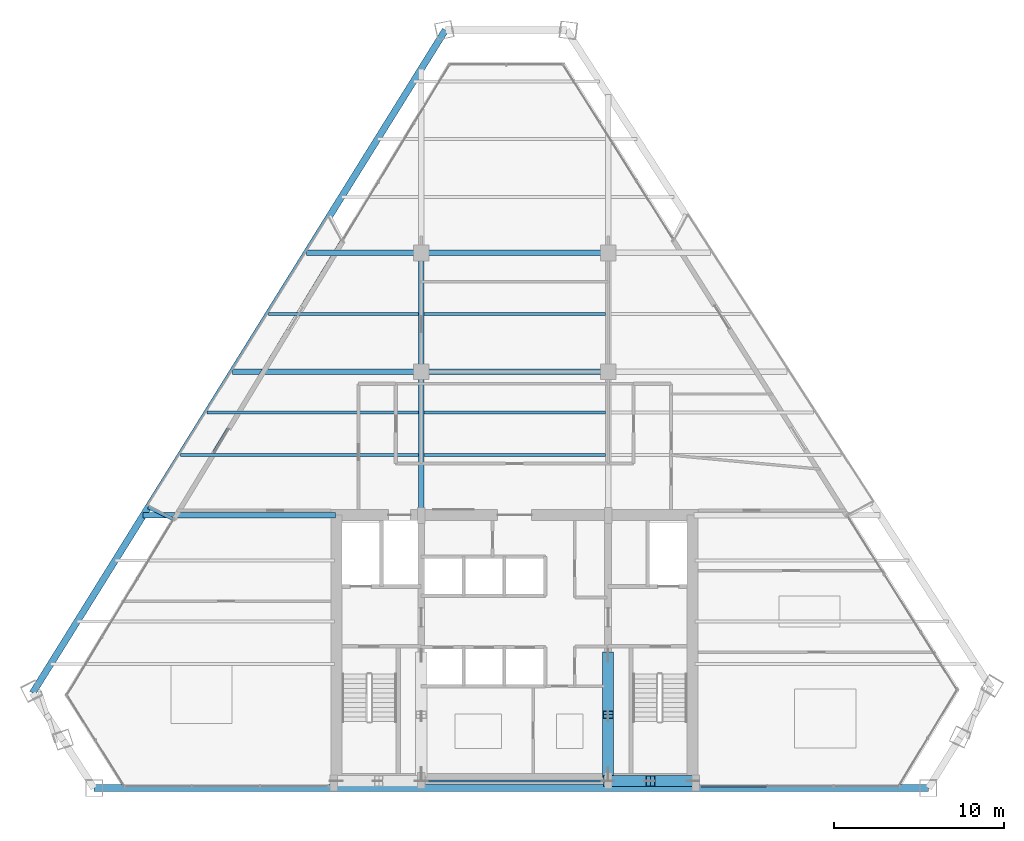
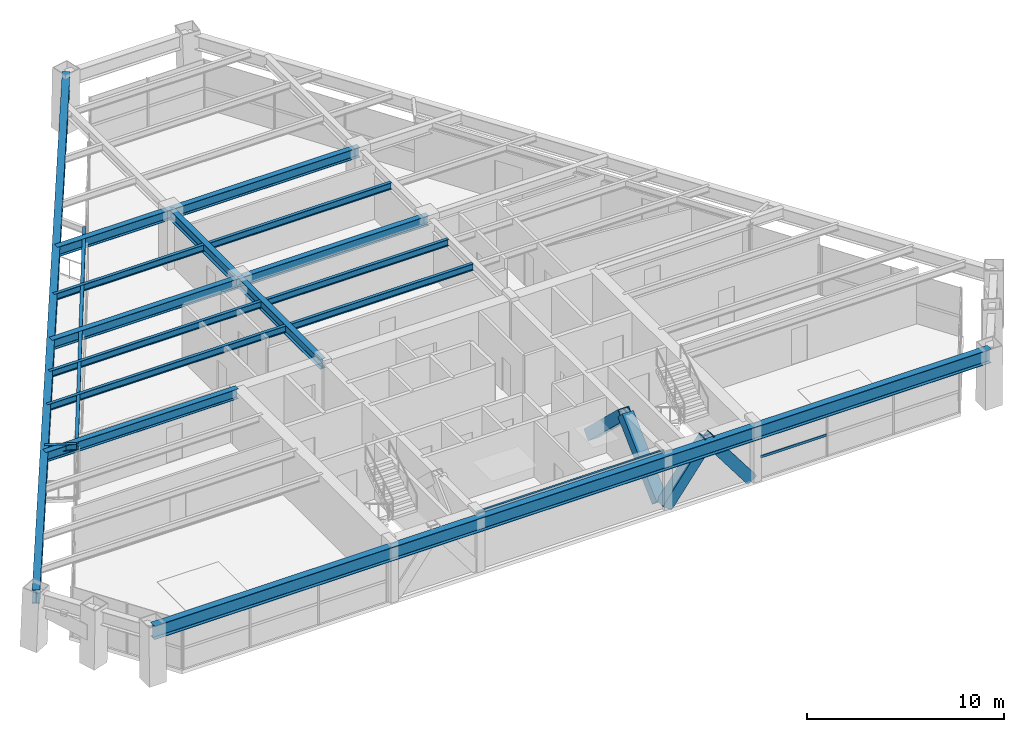
# One storey, part 3 of 12: 18 beams, 5 members, 1 element without a shape of its own.
"""IFC4 building model written with IfcOpenShell, lengths in metres."""

from ifc_helpers import new_model, si_unit, direction, frame, origin, origin_2d, place, context, subcontext, project, spatial, rectangle, hollow_rectangle, i_section, extrude, source, transform, mapped, material, material_profile, profile_set, type_object, type_shapes, element, aggregate, save


model = new_model("IFC4")

# Units and contexts
model_context = context("Model", 3, precision=1e-05, world=origin(), true_north=direction((0.0, 1.0)))
body_context = subcontext(model_context, "Body", "Model", "MODEL_VIEW")
ifc_project = project(units=[si_unit("LENGTHUNIT", "METRE"), si_unit("AREAUNIT", "SQUARE_METRE"), si_unit("VOLUMEUNIT", "CUBIC_METRE"), si_unit("PLANEANGLEUNIT", "RADIAN"), si_unit("MASSUNIT", "GRAM", prefix="KILO")], contexts=[model_context])

# Site, building, storey
site_placement = place(None, origin())
site = spatial("IfcSite", under=ifc_project, at=site_placement, CompositionType="ELEMENT")
building_placement = place(site_placement, origin())
building = spatial("IfcBuilding", under=site, at=building_placement, Name="Varnakhor Terracotta Tower", CompositionType="ELEMENT")
storey_placement = place(building_placement, frame((0.0, 0.0, 208.0)))
storey = spatial("IfcBuildingStorey", under=building, at=storey_placement, Name="L53", CompositionType="ELEMENT", Elevation=208.0)

# Beams
ifc_material_1 = material(Name="Steel S355", Category="steel")
ifc_material_profile_1 = material_profile(ifc_material_1, i_section(OverallWidth=0.1201171875, OverallDepth=0.239990234375, WebThickness=0.006103515625, FlangeThickness=0.009765625, FilletRadius=0.01806640625, at=origin_2d()), Name="IPE240")
ifc_profile_set_1 = profile_set([ifc_material_profile_1], Name="Steel S355")
beam_type_1 = type_object("IfcBeamType", Name="LNT-IPE240", PredefinedType="LINTEL", material=ifc_profile_set_1)
shared_shape_1 = source(origin(), body_context, "Body", "SweptSolid", [
    extrude(i_section(OverallWidth=0.1201171875, OverallDepth=0.239990234375, WebThickness=0.006103515625, FlangeThickness=0.009765625, FilletRadius=0.01806640625, at=origin_2d()), origin(), (0.0, 0.0, 1.0), 11.0),
])
type_shapes(beam_type_1, [shared_shape_1])
beam_1_placement = place(storey_placement, frame((-5.5, 0.419921875, 3.35009765625), z_axis=(1.0, 0.0, 0.0), x_axis=(0.0, 1.0, 0.0)))
element("IfcBeam", 1, at=beam_1_placement, inside=storey, type_object=beam_type_1, Name="L53 Core South Coupling Lintel", PredefinedType="LINTEL", context=body_context, shape_type="MappedRepresentation", body=[
    mapped(shared_shape_1, transform((0.0, 0.0, 0.0), scale=1.0)),
])
ifc_material_profile_2 = material_profile(ifc_material_1, i_section(OverallWidth=0.324951171875, OverallDepth=0.615966796875, WebThickness=0.013916015625, FlangeThickness=0.02197265625, FilletRadius=0.01806640625, at=origin_2d()), Name="W24X117")
ifc_profile_set_2 = profile_set([ifc_material_profile_2], Name="Steel S355")
beam_type_2 = type_object("IfcBeamType", Name="BM-W24X117", PredefinedType="BEAM", material=ifc_profile_set_2)
shared_shape_2 = source(origin(), body_context, "Body", "SweptSolid", [
    extrude(i_section(OverallWidth=0.324951171875, OverallDepth=0.615966796875, WebThickness=0.013916015625, FlangeThickness=0.02197265625, FilletRadius=0.01806640625, at=origin_2d()), origin(), (0.0, 0.0, 1.0), 8.449951171875),
])
type_shapes(beam_type_2, [shared_shape_2])
beam_2_placement = place(storey_placement, frame((-5.5, 16.050048828125, 3.162109375), z_axis=(0.0, 1.0, 0.0), x_axis=(-1.0, 0.0, 0.0)))
element("IfcBeam", 2, at=beam_2_placement, inside=storey, type_object=beam_type_2, Name="L53 Primary Girder NS1-W", PredefinedType="BEAM", context=body_context, shape_type="MappedRepresentation", body=[
    mapped(shared_shape_2, transform((0.0, 0.0, 0.0), scale=1.0)),
])
shared_shape_3 = source(origin(), body_context, "Body", "SweptSolid", [
    extrude(i_section(OverallWidth=0.324951171875, OverallDepth=0.615966796875, WebThickness=0.013916015625, FlangeThickness=0.02197265625, FilletRadius=0.01806640625, at=origin_2d()), origin(), (0.0, 0.0, 1.0), 7.0),
])
beam_3_placement = place(storey_placement, frame((-5.5, 24.5, 3.162109375), z_axis=(0.0, 1.0, 0.0), x_axis=(-1.0, 0.0, 0.0)))
element("IfcBeam", 3, at=beam_3_placement, inside=storey, type_object=beam_type_2, Name="L53 Primary Girder NS2-W", PredefinedType="BEAM", context=body_context, shape_type="MappedRepresentation", body=[
    mapped(shared_shape_3, transform((0.0, 0.0, 0.0), scale=1.0)),
])
shared_shape_4 = source(origin(), body_context, "Body", "SweptSolid", [
    extrude(i_section(OverallWidth=0.324951171875, OverallDepth=0.615966796875, WebThickness=0.013916015625, FlangeThickness=0.02197265625, FilletRadius=0.01806640625, at=origin_2d()), origin(), (0.0, 0.0, 1.0), 11.0),
])
for number, where, z_axis, x_axis, name in (
    (4, (-5.5, 24.5, 3.162109375), (1.0, 0.0, 0.0), (0.0, 1.0, 0.0), "L53 Primary Girder EW2-2"),
    (5, (-5.5, 31.5, 3.162109375), (1.0, 0.0, 0.0), (0.0, 1.0, 0.0), "L53 Primary Girder EW3-2"),
):
    element("IfcBeam", number, at=place(storey_placement, frame(where, z_axis=z_axis, x_axis=x_axis)), inside=storey, type_object=beam_type_2, Name=name, PredefinedType="BEAM", context=body_context, shape_type="MappedRepresentation", body=[
        mapped(shared_shape_4, transform((0.0, 0.0, 0.0), scale=1.0)),
    ])
ifc_material_profile_3 = material_profile(ifc_material_1, i_section(OverallWidth=0.179931640625, OverallDepth=0.4130859375, WebThickness=0.009765625, FlangeThickness=0.01611328125, FilletRadius=0.01806640625, at=origin_2d()), Name="W16X50")
ifc_profile_set_3 = profile_set([ifc_material_profile_3], Name="Steel S355")
beam_type_3 = type_object("IfcBeamType", Name="JST-W16X50", PredefinedType="JOIST", material=ifc_profile_set_3)
shared_shape_5 = source(origin(), body_context, "Body", "SweptSolid", [
    extrude(i_section(OverallWidth=0.179931640625, OverallDepth=0.4130859375, WebThickness=0.009765625, FlangeThickness=0.01611328125, FilletRadius=0.01806640625, at=origin_2d()), origin(), (0.0, 0.0, 1.0), 10.68310546875),
])
for number, where, z_axis, x_axis, name in (
    (6, (-5.341552734375, 19.60009765625, 3.263427734375), (1.0, 0.0, 0.0), (0.0, 1.0, 0.0), "L53 Composite Floor Joist 4-2"),
    (7, (-5.341552734375, 22.10009765625, 3.263427734375), (1.0, 0.0, 0.0), (0.0, 1.0, 0.0), "L53 Composite Floor Joist 5-2"),
    (8, (-5.341552734375, 27.89990234375, 3.263427734375), (1.0, 0.0, 0.0), (0.0, 1.0, 0.0), "L53 Composite Floor Joist 6-2"),
):
    element("IfcBeam", number, at=place(storey_placement, frame(where, z_axis=z_axis, x_axis=x_axis)), inside=storey, type_object=beam_type_3, Name=name, PredefinedType="JOIST", context=body_context, shape_type="MappedRepresentation", body=[
        mapped(shared_shape_5, transform((0.0, 0.0, 0.0), scale=1.0)),
    ])

# Members
ifc_material_2 = material(Name="Steel S460", Category="steel")
ifc_material_profile_4 = material_profile(ifc_material_2, hollow_rectangle(XDim=0.64990234375, YDim=0.64990234375, WallThickness=0.0400390625, at=origin_2d()), Name="HSS650X650X40")
ifc_profile_set_4 = profile_set([ifc_material_profile_4], Name="Steel S460")
member_type_1 = type_object("IfcMemberType", Name="MBR-MEGA-650", PredefinedType="BRACE", material=ifc_profile_set_4)
shared_shape_6 = source(origin(), body_context, "Body", "SweptSolid", [
    extrude(hollow_rectangle(XDim=0.64990234375, YDim=0.64990234375, WallThickness=0.0400390625, at=origin_2d()), origin(), (0.0, 0.0, 1.0), 4.805908203125),
])
member_1_placement = place(storey_placement, frame((5.5, 0.85009765625, 0.0), z_axis=(0.0, 0.723026776832, 0.69082000549), x_axis=(-1.0, 0.0, 0.0)))
element("IfcMember", 9, at=member_1_placement, inside=storey, type_object=member_type_1, Name="L53 Core Coupled Brace CWEA", PredefinedType="BRACE", context=body_context, shape_type="MappedRepresentation", body=[
    mapped(shared_shape_6, transform((0.0, 0.0, 0.0), scale=1.0)),
])
shared_shape_7 = source(origin(), body_context, "Body", "SweptSolid", [
    extrude(hollow_rectangle(XDim=0.64990234375, YDim=0.64990234375, WallThickness=0.0400390625, at=origin_2d()), origin(), (0.0, 0.0, 1.0), 4.156005859375),
])
for number, where, z_axis, x_axis, name in (
    (10, (5.5, 0.419921875, 0.0), (0.601530923869, 0.0, 0.798849515009), (0.0, 1.0, 0.0), "L53 Core Coupled Brace CSEA"),
    (11, (10.5, 0.419921875, 0.0), (-0.601530923869, 0.0, 0.798849515009), (0.0, -1.0, 0.0), "L53 Core Coupled Brace CSEB"),
):
    element("IfcMember", number, at=place(storey_placement, frame(where, z_axis=z_axis, x_axis=x_axis)), inside=storey, type_object=member_type_1, Name=name, PredefinedType="BRACE", context=body_context, shape_type="MappedRepresentation", body=[
        mapped(shared_shape_7, transform((0.0, 0.0, 0.0), scale=1.0)),
    ])
shared_shape_8 = source(origin(), body_context, "Body", "SweptSolid", [
    extrude(hollow_rectangle(XDim=0.64990234375, YDim=0.64990234375, WallThickness=0.0400390625, at=origin_2d()), origin(), (0.0, 0.0, 1.0), 4.80615234375),
])
member_2_placement = place(storey_placement, frame((5.5, 7.800048828125, 0.0), z_axis=(0.0, -0.723051018573, 0.690794632681), x_axis=(1.0, 0.0, 0.0)))
element("IfcMember", 12, at=member_2_placement, inside=storey, type_object=member_type_1, Name="L53 Core Coupled Brace CWEB", PredefinedType="BRACE", context=body_context, shape_type="MappedRepresentation", body=[
    mapped(shared_shape_8, transform((0.0, 0.0, 0.0), scale=1.0)),
])

# Beams
ifc_material_profile_5 = material_profile(ifc_material_1, i_section(OverallWidth=0.39990234375, OverallDepth=0.85498046875, WebThickness=0.01806640625, FlangeThickness=0.029052734375, FilletRadius=0.01806640625, at=origin_2d()), Name="W33X201")
ifc_profile_set_5 = profile_set([ifc_material_profile_5], Name="Steel S355")
beam_type_4 = type_object("IfcBeamType", Name="BM-W33X201", PredefinedType="BEAM", material=ifc_profile_set_5)
shared_shape_9 = source(origin(), body_context, "Body", "SweptSolid", [
    extrude(i_section(OverallWidth=0.39990234375, OverallDepth=0.85498046875, WebThickness=0.01806640625, FlangeThickness=0.029052734375, FilletRadius=0.01806640625, at=origin_2d()), origin(), (0.0, 0.0, 1.0), 49.120361328125),
])
beam_4_placement = place(storey_placement, frame((-24.762939453125, 0.0, 3.04248046875), z_axis=(1.0, 0.0, 0.0), x_axis=(0.0, 1.0, 0.0)))
element("IfcBeam", 13, at=beam_4_placement, inside=storey, type_object=beam_type_4, Name="L53 Perimeter Spandrel 1", PredefinedType="BEAM", context=body_context, shape_type="MappedRepresentation", body=[
    mapped(shared_shape_9, transform((0.0, 0.0, 0.0), scale=1.0)),
])
shared_shape_10 = source(origin(), body_context, "Body", "SweptSolid", [
    extrude(i_section(OverallWidth=0.39990234375, OverallDepth=0.85498046875, WebThickness=0.01806640625, FlangeThickness=0.029052734375, FilletRadius=0.01806640625, at=origin_2d()), origin(), (0.0, 0.0, 1.0), 45.97265625),
])
beam_5_placement = place(storey_placement, frame((-4.0771484375, 44.622802734375, 3.04248046875), z_axis=(-0.528558958187, -0.848896594245, 0.0), x_axis=(0.848896594245, -0.528558958187, 0.0)))
element("IfcBeam", 14, at=beam_5_placement, inside=storey, type_object=beam_type_4, Name="L53 Perimeter Spandrel 6", PredefinedType="BEAM", context=body_context, shape_type="MappedRepresentation", body=[
    mapped(shared_shape_10, transform((0.0, 0.0, 0.0), scale=1.0)),
])
ifc_material_profile_6 = material_profile(ifc_material_1, i_section(OverallWidth=0.179931640625, OverallDepth=0.39990234375, WebThickness=0.008544921875, FlangeThickness=0.013427734375, FilletRadius=0.01806640625, at=origin_2d()), Name="IPE400")
ifc_profile_set_6 = profile_set([ifc_material_profile_6], Name="Steel S355")
beam_type_5 = type_object("IfcBeamType", Name="JST-IPE400", PredefinedType="JOIST", material=ifc_profile_set_6)
shared_shape_11 = source(origin(), body_context, "Body", "SweptSolid", [
    extrude(i_section(OverallWidth=0.179931640625, OverallDepth=0.39990234375, WebThickness=0.008544921875, FlangeThickness=0.013427734375, FilletRadius=0.01806640625, at=origin_2d()), origin(), (0.0, 0.0, 1.0), 19.20849609375),
])
beam_6_placement = place(storey_placement, frame((-10.156494140625, 32.253662109375, 3.27001953125), z_axis=(-0.517464575924, -0.855704629334, 0.0), x_axis=(0.855704629334, -0.517464575924, 0.0)))
element("IfcBeam", 15, at=beam_6_placement, inside=storey, type_object=beam_type_5, Name="L53 Loggia Edge Beam 2", PredefinedType="JOIST", context=body_context, shape_type="MappedRepresentation", body=[
    mapped(shared_shape_11, transform((0.0, 0.0, 0.0), scale=1.0)),
])
shared_shape_12 = source(origin(), body_context, "Body", "SweptSolid", [
    extrude(i_section(OverallWidth=0.324951171875, OverallDepth=0.615966796875, WebThickness=0.013916015625, FlangeThickness=0.02197265625, FilletRadius=0.01806640625, at=origin_2d()), origin(), (0.0, 0.0, 1.0), 11.317626953125),
])
beam_7_placement = place(storey_placement, frame((-21.86767578125, 16.050048828125, 3.162109375), z_axis=(1.0, 0.0, 0.0), x_axis=(0.0, 1.0, 0.0)))
element("IfcBeam", 16, at=beam_7_placement, inside=storey, type_object=beam_type_2, Name="L53 Wing Girder W", PredefinedType="BEAM", context=body_context, shape_type="MappedRepresentation", body=[
    mapped(shared_shape_12, transform((0.0, 0.0, 0.0), scale=1.0)),
])
shared_shape_13 = source(origin(), body_context, "Body", "SweptSolid", [
    extrude(i_section(OverallWidth=0.324951171875, OverallDepth=0.615966796875, WebThickness=0.013916015625, FlangeThickness=0.02197265625, FilletRadius=0.01806640625, at=origin_2d()), origin(), (0.0, 0.0, 1.0), 11.1064453125),
])
beam_8_placement = place(storey_placement, frame((-16.6064453125, 24.5, 3.162109375), z_axis=(1.0, 0.0, 0.0), x_axis=(0.0, 1.0, 0.0)))
element("IfcBeam", 17, at=beam_8_placement, inside=storey, type_object=beam_type_2, Name="L53 Primary Girder EW2-1", PredefinedType="BEAM", context=body_context, shape_type="MappedRepresentation", body=[
    mapped(shared_shape_13, transform((0.0, 0.0, 0.0), scale=1.0)),
])
shared_shape_14 = source(origin(), body_context, "Body", "SweptSolid", [
    extrude(i_section(OverallWidth=0.324951171875, OverallDepth=0.615966796875, WebThickness=0.013916015625, FlangeThickness=0.02197265625, FilletRadius=0.01806640625, at=origin_2d()), origin(), (0.0, 0.0, 1.0), 6.747802734375),
])
beam_9_placement = place(storey_placement, frame((-12.247802734375, 31.5, 3.162109375), z_axis=(1.0, 0.0, 0.0), x_axis=(0.0, 1.0, 0.0)))
element("IfcBeam", 18, at=beam_9_placement, inside=storey, type_object=beam_type_2, Name="L53 Primary Girder EW3-1", PredefinedType="BEAM", context=body_context, shape_type="MappedRepresentation", body=[
    mapped(shared_shape_14, transform((0.0, 0.0, 0.0), scale=1.0)),
])
shared_shape_15 = source(origin(), body_context, "Body", "SweptSolid", [
    extrude(i_section(OverallWidth=0.179931640625, OverallDepth=0.4130859375, WebThickness=0.009765625, FlangeThickness=0.01611328125, FilletRadius=0.01806640625, at=origin_2d()), origin(), (0.0, 0.0, 1.0), 13.998779296875),
])
beam_10_placement = place(storey_placement, frame((-19.6572265625, 19.60009765625, 3.263427734375), z_axis=(1.0, 0.0, 0.0), x_axis=(0.0, 1.0, 0.0)))
element("IfcBeam", 19, at=beam_10_placement, inside=storey, type_object=beam_type_3, Name="L53 Composite Floor Joist 4-1", PredefinedType="JOIST", context=body_context, shape_type="MappedRepresentation", body=[
    mapped(shared_shape_15, transform((0.0, 0.0, 0.0), scale=1.0)),
])
shared_shape_16 = source(origin(), body_context, "Body", "SweptSolid", [
    extrude(i_section(OverallWidth=0.179931640625, OverallDepth=0.4130859375, WebThickness=0.009765625, FlangeThickness=0.01611328125, FilletRadius=0.01806640625, at=origin_2d()), origin(), (0.0, 0.0, 1.0), 12.442138671875),
])
beam_11_placement = place(storey_placement, frame((-18.1005859375, 22.10009765625, 3.263427734375), z_axis=(1.0, 0.0, 0.0), x_axis=(0.0, 1.0, 0.0)))
element("IfcBeam", 20, at=beam_11_placement, inside=storey, type_object=beam_type_3, Name="L53 Composite Floor Joist 5-1", PredefinedType="JOIST", context=body_context, shape_type="MappedRepresentation", body=[
    mapped(shared_shape_16, transform((0.0, 0.0, 0.0), scale=1.0)),
])
shared_shape_17 = source(origin(), body_context, "Body", "SweptSolid", [
    extrude(i_section(OverallWidth=0.179931640625, OverallDepth=0.4130859375, WebThickness=0.009765625, FlangeThickness=0.01611328125, FilletRadius=0.01806640625, at=origin_2d()), origin(), (0.0, 0.0, 1.0), 8.8310546875),
])
beam_12_placement = place(storey_placement, frame((-14.489501953125, 27.89990234375, 3.263427734375), z_axis=(1.0, 0.0, 0.0), x_axis=(0.0, 1.0, 0.0)))
element("IfcBeam", 21, at=beam_12_placement, inside=storey, type_object=beam_type_3, Name="L53 Composite Floor Joist 6-1", PredefinedType="JOIST", context=body_context, shape_type="MappedRepresentation", body=[
    mapped(shared_shape_17, transform((0.0, 0.0, 0.0), scale=1.0)),
])

# Curtain wall, member
ifc_material_3 = material(Name="Anodised Aluminium Curtain Wall System", Category="aluminium")
curtain_wall_type = type_object("IfcCurtainWallType", Name="CW-SYS-MID-OFFICE", PredefinedType="NOTDEFINED", material=ifc_material_3)
curtain_wall_placement = place(storey_placement, origin())
curtain_wall = element("IfcCurtainWall", 22, at=curtain_wall_placement, inside=storey, type_object=curtain_wall_type, Name="L53 South Wing Curtain Wall SSE", PredefinedType="NOTDEFINED")
ifc_material_4 = material(Name="Anodised Aluminium 6063-T6", Category="aluminium")
ifc_material_profile_7 = material_profile(ifc_material_4, rectangle(XDim=0.070068359375, YDim=0.155029296875, at=origin_2d()), Name="ALU TRANSOM 70x155")
ifc_profile_set_7 = profile_set([ifc_material_profile_7], Name="Anodised Aluminium 6063-T6")
member_type_2 = type_object("IfcMemberType", Name="CWT-03", PredefinedType="USERDEFINED", material=ifc_profile_set_7)
shared_shape_18 = source(origin(), body_context, "Body", "SweptSolid", [
    extrude(rectangle(XDim=0.070068359375, YDim=0.155029296875, at=origin_2d()), origin(), (0.0, 0.0, 1.0), 3.896484375),
])
member_3_placement = place(storey_placement, frame((14.866455078125, 0.1201171875, 1.281005859375), z_axis=(-1.0, 0.0, 0.0), x_axis=(0.0, -1.0, 0.0)))
member_3 = element("IfcMember", 23, at=member_3_placement, type_object=member_type_2, Name="L53 South Wing Curtain Wall SSE Transom 3", ObjectType="TRANSOM", PredefinedType="USERDEFINED", context=body_context, shape_type="MappedRepresentation", body=[
    mapped(shared_shape_18, transform((0.0, 0.0, 0.0), scale=1.0)),
])
aggregate(curtain_wall, [member_3])

# Beam
shared_shape_19 = source(origin(), body_context, "Body", "SweptSolid", [
    extrude(i_section(OverallWidth=0.179931640625, OverallDepth=0.39990234375, WebThickness=0.008544921875, FlangeThickness=0.013427734375, FilletRadius=0.01806640625, at=origin_2d()), origin(), (0.0, 0.0, 1.0), 1.636962890625),
])
beam_13_placement = place(storey_placement, frame((-20.09619140625, 15.81689453125, 3.27001953125), z_axis=(-0.901904404238, 0.431935696159, 0.0), x_axis=(-0.431935696159, -0.901904404238, 0.0)))
element("IfcBeam", 24, at=beam_13_placement, inside=storey, type_object=beam_type_5, Name="L54 W Loggia Tie Beam 1", PredefinedType="JOIST", context=body_context, shape_type="MappedRepresentation", body=[
    mapped(shared_shape_19, transform((0.0, 0.0, 0.0), scale=1.0)),
])

save(model, "model.ifc")
